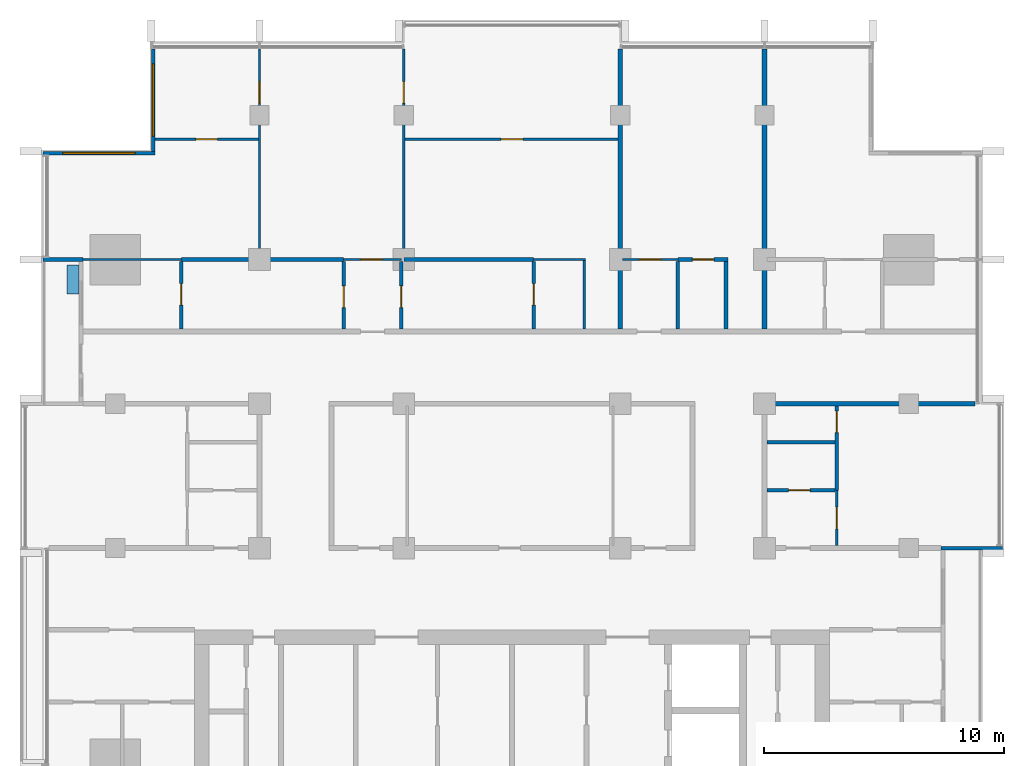
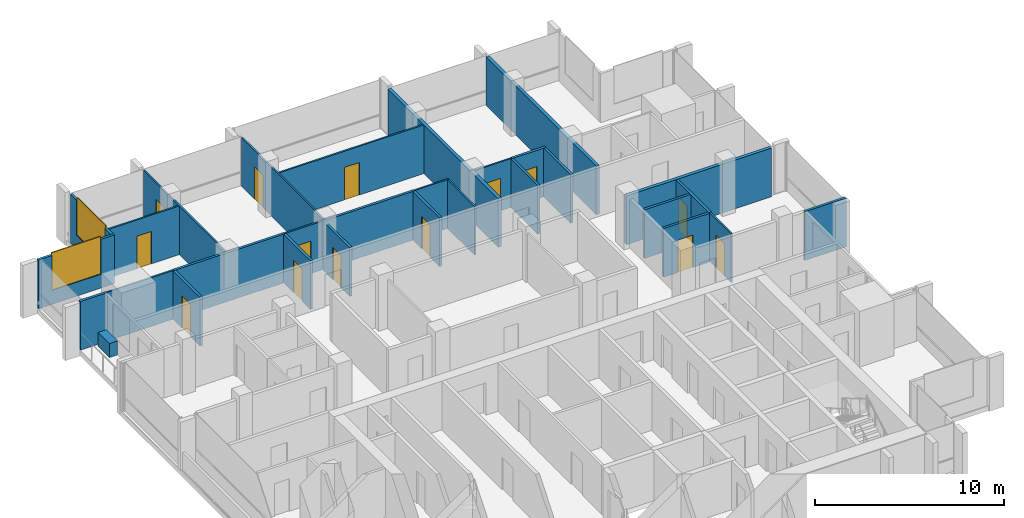
# One storey, part 10 of 16: 30 walls, 14 doors, 2 windows, 16 openings.
"""IFC4 building model written with IfcOpenShell, lengths in metres."""

from ifc_helpers import new_model, si_unit, direction, frame, frame_2d, origin, place, context, subcontext, project, spatial, rectangle, extrude, material, layer, layer_set, type_object, element, fill, save


model = new_model("IFC4")

# Units and contexts
model_context = context("Model", 3, precision=1e-05, world=origin(), true_north=direction((0.0, 1.0)))
body_context = subcontext(model_context, "Body", "Model", "MODEL_VIEW")
ifc_project = project(units=[si_unit("LENGTHUNIT", "METRE"), si_unit("AREAUNIT", "SQUARE_METRE"), si_unit("VOLUMEUNIT", "CUBIC_METRE"), si_unit("PLANEANGLEUNIT", "RADIAN"), si_unit("MASSUNIT", "GRAM", prefix="KILO")], contexts=[model_context])

# Site, building, storey
site_placement = place(None, origin())
site = spatial("IfcSite", under=ifc_project, at=site_placement, CompositionType="ELEMENT")
building_placement = place(site_placement, origin())
building = spatial("IfcBuilding", under=site, at=building_placement, Name="Finial Court Residences", CompositionType="ELEMENT")
storey_placement = place(building_placement, frame((0.0, 0.0, 244.699951171875)))
storey = spatial("IfcBuildingStorey", under=building, at=storey_placement, Name="L62", CompositionType="ELEMENT", Elevation=244.699951171875)

# Walls
ifc_material_1 = material(Name="Gypsum board")
ifc_layer_1 = layer(ifc_material_1, 0.02490234375)
ifc_material_2 = material(Name="Acoustic mineral wool in double frame")
ifc_layer_2 = layer(ifc_material_2, 0.14990234375)
ifc_layer_3 = layer(ifc_material_1, 0.02490234375)
ifc_layer_set_1 = layer_set([ifc_layer_1, ifc_layer_2, ifc_layer_3], Name="Acoustic party wall 200, 1 hour")
wall_type_1 = type_object("IfcWallType", Name="Acoustic party wall 200, 1 hour", PredefinedType="PARTITIONING", material=ifc_layer_set_1)
for number, where, z_axis, x_axis, name in (
    (1, (4.5, 4.60009765625, 0.0), (0.0, 0.0, 1.0), (0.0, 1.0, 0.0), "Partition L62-043"),
    (2, (10.5, 4.60009765625, 0.0), (0.0, 0.0, 1.0), (0.0, 1.0, 0.0), "Partition L62-048"),
):
    element("IfcWall", number, at=place(storey_placement, frame(where, z_axis=z_axis, x_axis=x_axis)), inside=storey, type_object=wall_type_1, Name=name, PredefinedType="PARTITIONING", context=body_context, shape_type="SweptSolid", body=[
        extrude(rectangle(XDim=11.662353515625, YDim=0.199951171875, at=frame_2d((5.8310546875, 0.0))), origin(), (0.0, 0.0, 1.0), 3.150146484375),
    ])
ifc_layer_4 = layer(ifc_material_1, 0.02490234375)
ifc_layer_5 = layer(ifc_material_2, 0.14990234375)
ifc_layer_6 = layer(ifc_material_1, 0.02490234375)
ifc_layer_set_2 = layer_set([ifc_layer_4, ifc_layer_5, ifc_layer_6], Name="Corridor wall 200, 1 hour")
wall_type_2 = type_object("IfcWallType", Name="Corridor wall 200, 1 hour", PredefinedType="PARTITIONING", material=ifc_layer_set_2)
wall_1_placement = place(storey_placement, frame((10.39990234375, 1.5, 0.0), z_axis=(0.0, 0.0, 1.0), x_axis=(1.0, 0.0, 0.0)))
element("IfcWall", 3, at=wall_1_placement, inside=storey, type_object=wall_type_2, Name="Partition L62-015", PredefinedType="PARTITIONING", context=body_context, shape_type="SweptSolid", body=[
    extrude(rectangle(XDim=8.862548828125, YDim=0.199951171875, at=frame_2d((4.43115234375, 0.0))), origin(), (0.0, 0.0, 1.0), 3.150146484375),
])
ifc_layer_7 = layer(ifc_material_1, 0.012451171875)
ifc_material_3 = material(Name="Mineral wool in light-gauge frame")
ifc_layer_8 = layer(ifc_material_3, 0.074951171875)
ifc_layer_9 = layer(ifc_material_1, 0.012451171875)
ifc_layer_set_3 = layer_set([ifc_layer_7, ifc_layer_8, ifc_layer_9], Name="Gypsum board partition 100")
wall_type_3 = type_object("IfcWallType", Name="Gypsum board partition 100", PredefinedType="PARTITIONING", material=ifc_layer_set_3)
wall_2_placement = place(storey_placement, frame((-17.85009765625, 7.5, 0.0), z_axis=(0.0, 0.0, 1.0), x_axis=(1.0, 0.0, 0.0)))
element("IfcWall", 4, at=wall_2_placement, inside=storey, type_object=wall_type_3, Name="Partition L62-017", PredefinedType="PARTITIONING", context=body_context, shape_type="SweptSolid", body=[
    extrude(rectangle(XDim=4.10009765625, YDim=0.10009765625, at=frame_2d((2.050048828125, 0.0))), origin(), (0.0, 0.0, 1.0), 3.150146484375),
])

# Wall, opening, door
wall_3_placement = place(storey_placement, frame((-7.0, 7.5, 0.0), z_axis=(0.0, 0.0, 1.0), x_axis=(1.0, 0.0, 0.0)))
wall_3 = element("IfcWall", 5, at=wall_3_placement, inside=storey, type_object=wall_type_3, Name="Partition L62-018", PredefinedType="PARTITIONING", context=body_context, shape_type="SweptSolid", body=[
    extrude(rectangle(XDim=2.39990234375, YDim=0.10009765625, at=frame_2d((1.199951171875, 0.0))), origin(), (0.0, 0.0, 1.0), 3.150146484375),
])
opening_1_placement = place(wall_3_placement, frame((0.699951171875, 0.0, 0.0)))
opening_1 = element("IfcOpeningElement", 6, at=opening_1_placement, cuts=wall_3, Name="Opening L62-D019", PredefinedType="OPENING", context=body_context, shape_type="SweptSolid", body=[
    extrude(rectangle(XDim=0.89990234375, YDim=2.10009765625, at=frame_2d((0.449951171875, 1.050048828125))), frame((0.0, 0.06005859375, 0.0), z_axis=(0.0, -1.0, 0.0), x_axis=(1.0, 0.0, 0.0)), (0.0, 0.0, 1.0), 0.1201171875),
])
ifc_material_4 = material(Name="Timber door leaf in timber frame", Category="wood")
door_type = type_object("IfcDoorType", Name="Door set 900 x 2100", OperationType="SINGLE_SWING_LEFT", PredefinedType="DOOR", material=ifc_material_4)
door_1_placement = place(opening_1_placement, origin())
door_1 = element("IfcDoor", 7, at=door_1_placement, inside=storey, type_object=door_type, Name="Door L62-D019", OperationType="SINGLE_SWING_LEFT", OverallHeight=2.10009765625, OverallWidth=0.89990234375, PredefinedType="DOOR", context=body_context, shape_type="SweptSolid", body=[
    extrude(rectangle(XDim=0.89990234375, YDim=2.10009765625, at=frame_2d((0.449951171875, 1.050048828125))), frame((0.0, 0.02490234375, 0.0), z_axis=(0.0, -1.0, 0.0), x_axis=(1.0, 0.0, 0.0)), (0.0, 0.0, 1.0), 0.050048828125),
])
fill(opening_1, door_1)

# Wall
wall_4_placement = place(storey_placement, frame((0.89990234375, 7.5, 0.0), z_axis=(0.0, 0.0, 1.0), x_axis=(1.0, 0.0, 0.0)))
element("IfcWall", 8, at=wall_4_placement, inside=storey, type_object=wall_type_3, Name="Partition L62-019", PredefinedType="PARTITIONING", context=body_context, shape_type="SweptSolid", body=[
    extrude(rectangle(XDim=2.150146484375, YDim=0.10009765625, at=frame_2d((1.0751953125, 0.0))), origin(), (0.0, 0.0, 1.0), 3.150146484375),
])

# Wall, opening, door
wall_5_placement = place(storey_placement, frame((4.60009765625, 7.5, 0.0), z_axis=(0.0, 0.0, 1.0), x_axis=(1.0, 0.0, 0.0)))
wall_5 = element("IfcWall", 9, at=wall_5_placement, inside=storey, type_object=wall_type_3, Name="Partition L62-020", PredefinedType="PARTITIONING", context=body_context, shape_type="SweptSolid", body=[
    extrude(rectangle(XDim=2.2998046875, YDim=0.10009765625, at=frame_2d((1.14990234375, 0.0))), origin(), (0.0, 0.0, 1.0), 3.150146484375),
])
opening_2_placement = place(wall_5_placement, frame((0.699951171875, 0.0, 0.0)))
opening_2 = element("IfcOpeningElement", 10, at=opening_2_placement, cuts=wall_5, Name="Opening L62-D020", PredefinedType="OPENING", context=body_context, shape_type="SweptSolid", body=[
    extrude(rectangle(XDim=0.89990234375, YDim=2.10009765625, at=frame_2d((0.449951171875, 1.050048828125))), frame((0.0, 0.06005859375, 0.0), z_axis=(0.0, -1.0, 0.0), x_axis=(1.0, 0.0, 0.0)), (0.0, 0.0, 1.0), 0.1201171875),
])
door_2_placement = place(opening_2_placement, origin())
door_2 = element("IfcDoor", 11, at=door_2_placement, inside=storey, type_object=door_type, Name="Door L62-D020", OperationType="SINGLE_SWING_LEFT", OverallHeight=2.10009765625, OverallWidth=0.89990234375, PredefinedType="DOOR", context=body_context, shape_type="SweptSolid", body=[
    extrude(rectangle(XDim=0.89990234375, YDim=2.10009765625, at=frame_2d((0.449951171875, 1.050048828125))), frame((0.0, 0.02490234375, 0.0), z_axis=(0.0, -1.0, 0.0), x_axis=(1.0, 0.0, 0.0)), (0.0, 0.0, 1.0), 0.050048828125),
])
fill(opening_2, door_2)

wall_6_placement = place(storey_placement, frame((-14.85009765625, 12.5, 0.0), z_axis=(0.0, 0.0, 1.0), x_axis=(1.0, 0.0, 0.0)))
wall_6 = element("IfcWall", 12, at=wall_6_placement, inside=storey, type_object=wall_type_3, Name="Partition L62-027", PredefinedType="PARTITIONING", context=body_context, shape_type="SweptSolid", body=[
    extrude(rectangle(XDim=4.300048828125, YDim=0.10009765625, at=frame_2d((2.14990234375, 0.0))), origin(), (0.0, 0.0, 1.0), 3.150146484375),
])
opening_3_placement = place(wall_6_placement, frame((1.699951171875, 0.0, 0.0)))
opening_3 = element("IfcOpeningElement", 13, at=opening_3_placement, cuts=wall_6, Name="Opening L62-D024", PredefinedType="OPENING", context=body_context, shape_type="SweptSolid", body=[
    extrude(rectangle(XDim=0.89990234375, YDim=2.10009765625, at=frame_2d((0.449951171875, 1.050048828125))), frame((0.0, 0.06005859375, 0.0), z_axis=(0.0, -1.0, 0.0), x_axis=(1.0, 0.0, 0.0)), (0.0, 0.0, 1.0), 0.1201171875),
])
door_3_placement = place(opening_3_placement, origin())
door_3 = element("IfcDoor", 14, at=door_3_placement, inside=storey, type_object=door_type, Name="Door L62-D024", OperationType="SINGLE_SWING_LEFT", OverallHeight=2.10009765625, OverallWidth=0.89990234375, PredefinedType="DOOR", context=body_context, shape_type="SweptSolid", body=[
    extrude(rectangle(XDim=0.89990234375, YDim=2.10009765625, at=frame_2d((0.449951171875, 1.050048828125))), frame((0.0, 0.02490234375, 0.0), z_axis=(0.0, -1.0, 0.0), x_axis=(1.0, 0.0, 0.0)), (0.0, 0.0, 1.0), 0.050048828125),
])
fill(opening_3, door_3)

wall_7_placement = place(storey_placement, frame((-4.449951171875, 12.5, 0.0), z_axis=(0.0, 0.0, 1.0), x_axis=(1.0, 0.0, 0.0)))
wall_7 = element("IfcWall", 15, at=wall_7_placement, inside=storey, type_object=wall_type_3, Name="Partition L62-028", PredefinedType="PARTITIONING", context=body_context, shape_type="SweptSolid", body=[
    extrude(rectangle(XDim=8.849853515625, YDim=0.10009765625, at=frame_2d((4.4248046875, 0.0))), origin(), (0.0, 0.0, 1.0), 3.150146484375),
])
opening_4_placement = place(wall_7_placement, frame((4.0, 0.0, 0.0)))
opening_4 = element("IfcOpeningElement", 16, at=opening_4_placement, cuts=wall_7, Name="Opening L62-D025", PredefinedType="OPENING", context=body_context, shape_type="SweptSolid", body=[
    extrude(rectangle(XDim=0.89990234375, YDim=2.10009765625, at=frame_2d((0.449951171875, 1.050048828125))), frame((0.0, 0.06005859375, 0.0), z_axis=(0.0, -1.0, 0.0), x_axis=(1.0, 0.0, 0.0)), (0.0, 0.0, 1.0), 0.1201171875),
])
door_4_placement = place(opening_4_placement, origin())
door_4 = element("IfcDoor", 17, at=door_4_placement, inside=storey, type_object=door_type, Name="Door L62-D025", OperationType="SINGLE_SWING_LEFT", OverallHeight=2.10009765625, OverallWidth=0.89990234375, PredefinedType="DOOR", context=body_context, shape_type="SweptSolid", body=[
    extrude(rectangle(XDim=0.89990234375, YDim=2.10009765625, at=frame_2d((0.449951171875, 1.050048828125))), frame((0.0, 0.02490234375, 0.0), z_axis=(0.0, -1.0, 0.0), x_axis=(1.0, 0.0, 0.0)), (0.0, 0.0, 1.0), 0.050048828125),
])
fill(opening_4, door_4)

wall_8_placement = place(storey_placement, frame((-10.5, 7.574951171875, 0.0), z_axis=(0.0, 0.0, 1.0), x_axis=(0.0, 1.0, 0.0)))
wall_8 = element("IfcWall", 18, at=wall_8_placement, inside=storey, type_object=wall_type_3, Name="Partition L62-034", PredefinedType="PARTITIONING", context=body_context, shape_type="SweptSolid", body=[
    extrude(rectangle(XDim=8.6875, YDim=0.10009765625, at=frame_2d((4.34375, 0.0))), origin(), (0.0, 0.0, 1.0), 3.150146484375),
])
opening_5_placement = place(wall_8_placement, frame((6.425048828125, 0.0, 0.0)))
opening_5 = element("IfcOpeningElement", 19, at=opening_5_placement, cuts=wall_8, Name="Opening L62-D029", PredefinedType="OPENING", context=body_context, shape_type="SweptSolid", body=[
    extrude(rectangle(XDim=0.89990234375, YDim=2.10009765625, at=frame_2d((0.449951171875, 1.050048828125))), frame((0.0, 0.06005859375, 0.0), z_axis=(0.0, -1.0, 0.0), x_axis=(1.0, 0.0, 0.0)), (0.0, 0.0, 1.0), 0.1201171875),
])
door_5_placement = place(opening_5_placement, origin())
door_5 = element("IfcDoor", 20, at=door_5_placement, inside=storey, type_object=door_type, Name="Door L62-D029", OperationType="SINGLE_SWING_LEFT", OverallHeight=2.10009765625, OverallWidth=0.89990234375, PredefinedType="DOOR", context=body_context, shape_type="SweptSolid", body=[
    extrude(rectangle(XDim=0.89990234375, YDim=2.10009765625, at=frame_2d((0.449951171875, 1.050048828125))), frame((0.0, 0.02490234375, 0.0), z_axis=(0.0, -1.0, 0.0), x_axis=(1.0, 0.0, 0.0)), (0.0, 0.0, 1.0), 0.050048828125),
])
fill(opening_5, door_5)

wall_9_placement = place(storey_placement, frame((-4.5, 7.574951171875, 0.0), z_axis=(0.0, 0.0, 1.0), x_axis=(0.0, 1.0, 0.0)))
wall_9 = element("IfcWall", 21, at=wall_9_placement, inside=storey, type_object=wall_type_3, Name="Partition L62-038", PredefinedType="PARTITIONING", context=body_context, shape_type="SweptSolid", body=[
    extrude(rectangle(XDim=8.6875, YDim=0.10009765625, at=frame_2d((4.34375, 0.0))), origin(), (0.0, 0.0, 1.0), 3.150146484375),
])
opening_6_placement = place(wall_9_placement, frame((6.425048828125, 0.0, 0.0)))
opening_6 = element("IfcOpeningElement", 22, at=opening_6_placement, cuts=wall_9, Name="Opening L62-D032", PredefinedType="OPENING", context=body_context, shape_type="SweptSolid", body=[
    extrude(rectangle(XDim=0.89990234375, YDim=2.10009765625, at=frame_2d((0.449951171875, 1.050048828125))), frame((0.0, 0.06005859375, 0.0), z_axis=(0.0, -1.0, 0.0), x_axis=(1.0, 0.0, 0.0)), (0.0, 0.0, 1.0), 0.1201171875),
])
door_6_placement = place(opening_6_placement, origin())
door_6 = element("IfcDoor", 23, at=door_6_placement, inside=storey, type_object=door_type, Name="Door L62-D032", OperationType="SINGLE_SWING_RIGHT", OverallHeight=2.10009765625, OverallWidth=0.89990234375, PredefinedType="DOOR", context=body_context, shape_type="SweptSolid", body=[
    extrude(rectangle(XDim=0.89990234375, YDim=2.10009765625, at=frame_2d((0.449951171875, 1.050048828125))), frame((0.0, 0.02490234375, 0.0), z_axis=(0.0, -1.0, 0.0), x_axis=(1.0, 0.0, 0.0)), (0.0, 0.0, 1.0), 0.050048828125),
])
fill(opening_6, door_6)

# Wall
wall_10_placement = place(storey_placement, frame((3.0, 4.60009765625, 0.0), z_axis=(0.0, 0.0, 1.0), x_axis=(0.0, 1.0, 0.0)))
element("IfcWall", 24, at=wall_10_placement, inside=storey, type_object=wall_type_3, Name="Partition L62-041", PredefinedType="PARTITIONING", context=body_context, shape_type="SweptSolid", body=[
    extrude(rectangle(XDim=2.849853515625, YDim=0.10009765625, at=frame_2d((1.4248046875, 0.0))), origin(), (0.0, 0.0, 1.0), 3.150146484375),
])

# Wall, opening, door
wall_11_placement = place(storey_placement, frame((13.5, -4.39990234375, 0.0), z_axis=(0.0, 0.0, 1.0), x_axis=(0.0, 1.0, 0.0)))
wall_11 = element("IfcWall", 25, at=wall_11_placement, inside=storey, type_object=wall_type_3, Name="Partition L62-050", PredefinedType="PARTITIONING", context=body_context, shape_type="SweptSolid", body=[
    extrude(rectangle(XDim=2.2998046875, YDim=0.10009765625, at=frame_2d((1.14990234375, 0.0))), origin(), (0.0, 0.0, 1.0), 3.150146484375),
])
opening_7_placement = place(wall_11_placement, frame((0.699951171875, 0.0, 0.0)))
opening_7 = element("IfcOpeningElement", 26, at=opening_7_placement, cuts=wall_11, Name="Opening L62-D035", PredefinedType="OPENING", context=body_context, shape_type="SweptSolid", body=[
    extrude(rectangle(XDim=0.89990234375, YDim=2.10009765625, at=frame_2d((0.449951171875, 1.050048828125))), frame((0.0, 0.06005859375, 0.0), z_axis=(0.0, -1.0, 0.0), x_axis=(1.0, 0.0, 0.0)), (0.0, 0.0, 1.0), 0.1201171875),
])
door_7_placement = place(opening_7_placement, origin())
door_7 = element("IfcDoor", 27, at=door_7_placement, inside=storey, type_object=door_type, Name="Door L62-D035", OperationType="SINGLE_SWING_RIGHT", OverallHeight=2.10009765625, OverallWidth=0.89990234375, PredefinedType="DOOR", context=body_context, shape_type="SweptSolid", body=[
    extrude(rectangle(XDim=0.89990234375, YDim=2.10009765625, at=frame_2d((0.449951171875, 1.050048828125))), frame((0.0, 0.02490234375, 0.0), z_axis=(0.0, -1.0, 0.0), x_axis=(1.0, 0.0, 0.0)), (0.0, 0.0, 1.0), 0.050048828125),
])
fill(opening_7, door_7)

ifc_material_5 = material(Name="Moisture-resistant gypsum board")
ifc_layer_10 = layer(ifc_material_5, 0.012451171875)
ifc_layer_11 = layer(ifc_material_3, 0.125)
ifc_layer_12 = layer(ifc_material_5, 0.012451171875)
ifc_layer_set_4 = layer_set([ifc_layer_10, ifc_layer_11, ifc_layer_12], Name="Gypsum board wet-area partition 150")
wall_type_4 = type_object("IfcWallType", Name="Gypsum board wet-area partition 150", PredefinedType="PARTITIONING", material=ifc_layer_set_4)
wall_12_placement = place(storey_placement, frame((10.60009765625, -2.10009765625, 0.0), z_axis=(0.0, 0.0, 1.0), x_axis=(1.0, 0.0, 0.0)))
wall_12 = element("IfcWall", 28, at=wall_12_placement, inside=storey, type_object=wall_type_4, Name="Partition L62-010", PredefinedType="PARTITIONING", context=body_context, shape_type="SweptSolid", body=[
    extrude(rectangle(XDim=2.824951171875, YDim=0.14990234375, at=frame_2d((1.41259765625, 0.0))), origin(), (0.0, 0.0, 1.0), 3.150146484375),
])
opening_8_placement = place(wall_12_placement, frame((0.89990234375, 0.0, 0.0)))
opening_8 = element("IfcOpeningElement", 29, at=opening_8_placement, cuts=wall_12, Name="Opening L62-D015", PredefinedType="OPENING", context=body_context, shape_type="SweptSolid", body=[
    extrude(rectangle(XDim=0.89990234375, YDim=2.10009765625, at=frame_2d((0.449951171875, 1.050048828125))), frame((0.0, 0.0849609375, 0.0), z_axis=(0.0, -1.0, 0.0), x_axis=(1.0, 0.0, 0.0)), (0.0, 0.0, 1.0), 0.169921875),
])
door_8_placement = place(opening_8_placement, origin())
door_8 = element("IfcDoor", 30, at=door_8_placement, inside=storey, type_object=door_type, Name="Door L62-D015", OperationType="SINGLE_SWING_RIGHT", OverallHeight=2.10009765625, OverallWidth=0.89990234375, PredefinedType="DOOR", context=body_context, shape_type="SweptSolid", body=[
    extrude(rectangle(XDim=0.89990234375, YDim=2.10009765625, at=frame_2d((0.449951171875, 1.050048828125))), frame((0.0, 0.02490234375, 0.0), z_axis=(0.0, -1.0, 0.0), x_axis=(1.0, 0.0, 0.0)), (0.0, 0.0, 1.0), 0.050048828125),
])
fill(opening_8, door_8)

# Walls
wall_13_placement = place(storey_placement, frame((10.60009765625, -0.10009765625, 0.0), z_axis=(0.0, 0.0, 1.0), x_axis=(1.0, 0.0, 0.0)))
element("IfcWall", 31, at=wall_13_placement, inside=storey, type_object=wall_type_4, Name="Partition L62-012", PredefinedType="PARTITIONING", context=body_context, shape_type="SweptSolid", body=[
    extrude(rectangle(XDim=2.824951171875, YDim=0.14990234375, at=frame_2d((1.41259765625, 0.0))), origin(), (0.0, 0.0, 1.0), 3.150146484375),
])
wall_14_placement = place(storey_placement, frame((-13.75, 7.5, 0.0), z_axis=(0.0, 0.0, 1.0), x_axis=(1.0, 0.0, 0.0)))
element("IfcWall", 32, at=wall_14_placement, inside=storey, type_object=wall_type_4, Name="Partition L62-022", PredefinedType="PARTITIONING", context=body_context, shape_type="SweptSolid", body=[
    extrude(rectangle(XDim=6.75, YDim=0.14990234375, at=frame_2d((3.375, 0.0))), origin(), (0.0, 0.0, 1.0), 3.150146484375),
])
wall_15_placement = place(storey_placement, frame((-4.5, 7.5, 0.0), z_axis=(0.0, 0.0, 1.0), x_axis=(1.0, 0.0, 0.0)))
element("IfcWall", 33, at=wall_15_placement, inside=storey, type_object=wall_type_4, Name="Partition L62-023", PredefinedType="PARTITIONING", context=body_context, shape_type="SweptSolid", body=[
    extrude(rectangle(XDim=5.39990234375, YDim=0.14990234375, at=frame_2d((2.699951171875, 0.0))), origin(), (0.0, 0.0, 1.0), 3.150146484375),
])

# Wall, opening, door
wall_16_placement = place(storey_placement, frame((6.89990234375, 7.5, 0.0), z_axis=(0.0, 0.0, 1.0), x_axis=(1.0, 0.0, 0.0)))
wall_16 = element("IfcWall", 34, at=wall_16_placement, inside=storey, type_object=wall_type_4, Name="Partition L62-024", PredefinedType="PARTITIONING", context=body_context, shape_type="SweptSolid", body=[
    extrude(rectangle(XDim=2.0751953125, YDim=0.14990234375, at=frame_2d((1.03759765625, 0.0))), origin(), (0.0, 0.0, 1.0), 3.150146484375),
])
opening_9_placement = place(wall_16_placement, frame((0.60009765625, 0.0, 0.0)))
opening_9 = element("IfcOpeningElement", 35, at=opening_9_placement, cuts=wall_16, Name="Opening L62-D022", PredefinedType="OPENING", context=body_context, shape_type="SweptSolid", body=[
    extrude(rectangle(XDim=0.89990234375, YDim=2.10009765625, at=frame_2d((0.449951171875, 1.050048828125))), frame((0.0, 0.0849609375, 0.0), z_axis=(0.0, -1.0, 0.0), x_axis=(1.0, 0.0, 0.0)), (0.0, 0.0, 1.0), 0.169921875),
])
door_9_placement = place(opening_9_placement, origin())
door_9 = element("IfcDoor", 36, at=door_9_placement, inside=storey, type_object=door_type, Name="Door L62-D022", OperationType="SINGLE_SWING_RIGHT", OverallHeight=2.10009765625, OverallWidth=0.89990234375, PredefinedType="DOOR", context=body_context, shape_type="SweptSolid", body=[
    extrude(rectangle(XDim=0.89990234375, YDim=2.10009765625, at=frame_2d((0.449951171875, 1.050048828125))), frame((0.0, 0.02490234375, 0.0), z_axis=(0.0, -1.0, 0.0), x_axis=(1.0, 0.0, 0.0)), (0.0, 0.0, 1.0), 0.050048828125),
])
fill(opening_9, door_9)

wall_17_placement = place(storey_placement, frame((-13.75, 4.60009765625, 0.0), z_axis=(0.0, 0.0, 1.0), x_axis=(0.0, 1.0, 0.0)))
wall_17 = element("IfcWall", 37, at=wall_17_placement, inside=storey, type_object=wall_type_4, Name="Partition L62-030", PredefinedType="PARTITIONING", context=body_context, shape_type="SweptSolid", body=[
    extrude(rectangle(XDim=2.824951171875, YDim=0.14990234375, at=frame_2d((1.41259765625, 0.0))), origin(), (0.0, 0.0, 1.0), 3.150146484375),
])
opening_10_placement = place(wall_17_placement, frame((1.0, 0.0, 0.0)))
opening_10 = element("IfcOpeningElement", 38, at=opening_10_placement, cuts=wall_17, Name="Opening L62-D026", PredefinedType="OPENING", context=body_context, shape_type="SweptSolid", body=[
    extrude(rectangle(XDim=0.89990234375, YDim=2.10009765625, at=frame_2d((0.449951171875, 1.050048828125))), frame((0.0, 0.0849609375, 0.0), z_axis=(0.0, -1.0, 0.0), x_axis=(1.0, 0.0, 0.0)), (0.0, 0.0, 1.0), 0.169921875),
])
door_10_placement = place(opening_10_placement, origin())
door_10 = element("IfcDoor", 39, at=door_10_placement, inside=storey, type_object=door_type, Name="Door L62-D026", OperationType="SINGLE_SWING_RIGHT", OverallHeight=2.10009765625, OverallWidth=0.89990234375, PredefinedType="DOOR", context=body_context, shape_type="SweptSolid", body=[
    extrude(rectangle(XDim=0.89990234375, YDim=2.10009765625, at=frame_2d((0.449951171875, 1.050048828125))), frame((0.0, 0.02490234375, 0.0), z_axis=(0.0, -1.0, 0.0), x_axis=(1.0, 0.0, 0.0)), (0.0, 0.0, 1.0), 0.050048828125),
])
fill(opening_10, door_10)

wall_18_placement = place(storey_placement, frame((-7.0, 4.60009765625, 0.0), z_axis=(0.0, 0.0, 1.0), x_axis=(0.0, 1.0, 0.0)))
wall_18 = element("IfcWall", 40, at=wall_18_placement, inside=storey, type_object=wall_type_4, Name="Partition L62-036", PredefinedType="PARTITIONING", context=body_context, shape_type="SweptSolid", body=[
    extrude(rectangle(XDim=2.824951171875, YDim=0.14990234375, at=frame_2d((1.41259765625, 0.0))), origin(), (0.0, 0.0, 1.0), 3.150146484375),
])
opening_11_placement = place(wall_18_placement, frame((0.89990234375, 0.0, 0.0)))
opening_11 = element("IfcOpeningElement", 41, at=opening_11_placement, cuts=wall_18, Name="Opening L62-D030", PredefinedType="OPENING", context=body_context, shape_type="SweptSolid", body=[
    extrude(rectangle(XDim=0.89990234375, YDim=2.10009765625, at=frame_2d((0.449951171875, 1.050048828125))), frame((0.0, 0.0849609375, 0.0), z_axis=(0.0, -1.0, 0.0), x_axis=(1.0, 0.0, 0.0)), (0.0, 0.0, 1.0), 0.169921875),
])
door_11_placement = place(opening_11_placement, origin())
door_11 = element("IfcDoor", 42, at=door_11_placement, inside=storey, type_object=door_type, Name="Door L62-D030", OperationType="SINGLE_SWING_RIGHT", OverallHeight=2.10009765625, OverallWidth=0.89990234375, PredefinedType="DOOR", context=body_context, shape_type="SweptSolid", body=[
    extrude(rectangle(XDim=0.89990234375, YDim=2.10009765625, at=frame_2d((0.449951171875, 1.050048828125))), frame((0.0, 0.02490234375, 0.0), z_axis=(0.0, -1.0, 0.0), x_axis=(1.0, 0.0, 0.0)), (0.0, 0.0, 1.0), 0.050048828125),
])
fill(opening_11, door_11)

wall_19_placement = place(storey_placement, frame((-4.60009765625, 4.60009765625, 0.0), z_axis=(0.0, 0.0, 1.0), x_axis=(0.0, 1.0, 0.0)))
wall_19 = element("IfcWall", 43, at=wall_19_placement, inside=storey, type_object=wall_type_4, Name="Partition L62-037", PredefinedType="PARTITIONING", context=body_context, shape_type="SweptSolid", body=[
    extrude(rectangle(XDim=2.824951171875, YDim=0.14990234375, at=frame_2d((1.41259765625, 0.0))), origin(), (0.0, 0.0, 1.0), 3.150146484375),
])
opening_12_placement = place(wall_19_placement, frame((0.89990234375, 0.0, 0.0)))
opening_12 = element("IfcOpeningElement", 44, at=opening_12_placement, cuts=wall_19, Name="Opening L62-D031", PredefinedType="OPENING", context=body_context, shape_type="SweptSolid", body=[
    extrude(rectangle(XDim=0.89990234375, YDim=2.10009765625, at=frame_2d((0.449951171875, 1.050048828125))), frame((0.0, 0.0849609375, 0.0), z_axis=(0.0, -1.0, 0.0), x_axis=(1.0, 0.0, 0.0)), (0.0, 0.0, 1.0), 0.169921875),
])
door_12_placement = place(opening_12_placement, origin())
door_12 = element("IfcDoor", 45, at=door_12_placement, inside=storey, type_object=door_type, Name="Door L62-D031", OperationType="SINGLE_SWING_LEFT", OverallHeight=2.10009765625, OverallWidth=0.89990234375, PredefinedType="DOOR", context=body_context, shape_type="SweptSolid", body=[
    extrude(rectangle(XDim=0.89990234375, YDim=2.10009765625, at=frame_2d((0.449951171875, 1.050048828125))), frame((0.0, 0.02490234375, 0.0), z_axis=(0.0, -1.0, 0.0), x_axis=(1.0, 0.0, 0.0)), (0.0, 0.0, 1.0), 0.050048828125),
])
fill(opening_12, door_12)

wall_20_placement = place(storey_placement, frame((0.89990234375, 4.60009765625, 0.0), z_axis=(0.0, 0.0, 1.0), x_axis=(0.0, 1.0, 0.0)))
wall_20 = element("IfcWall", 46, at=wall_20_placement, inside=storey, type_object=wall_type_4, Name="Partition L62-040", PredefinedType="PARTITIONING", context=body_context, shape_type="SweptSolid", body=[
    extrude(rectangle(XDim=2.824951171875, YDim=0.14990234375, at=frame_2d((1.41259765625, 0.0))), origin(), (0.0, 0.0, 1.0), 3.150146484375),
])
opening_13_placement = place(wall_20_placement, frame((1.0, 0.0, 0.0)))
opening_13 = element("IfcOpeningElement", 47, at=opening_13_placement, cuts=wall_20, Name="Opening L62-D033", PredefinedType="OPENING", context=body_context, shape_type="SweptSolid", body=[
    extrude(rectangle(XDim=0.89990234375, YDim=2.10009765625, at=frame_2d((0.449951171875, 1.050048828125))), frame((0.0, 0.0849609375, 0.0), z_axis=(0.0, -1.0, 0.0), x_axis=(1.0, 0.0, 0.0)), (0.0, 0.0, 1.0), 0.169921875),
])
door_13_placement = place(opening_13_placement, origin())
door_13 = element("IfcDoor", 48, at=door_13_placement, inside=storey, type_object=door_type, Name="Door L62-D033", OperationType="SINGLE_SWING_RIGHT", OverallHeight=2.10009765625, OverallWidth=0.89990234375, PredefinedType="DOOR", context=body_context, shape_type="SweptSolid", body=[
    extrude(rectangle(XDim=0.89990234375, YDim=2.10009765625, at=frame_2d((0.449951171875, 1.050048828125))), frame((0.0, 0.02490234375, 0.0), z_axis=(0.0, -1.0, 0.0), x_axis=(1.0, 0.0, 0.0)), (0.0, 0.0, 1.0), 0.050048828125),
])
fill(opening_13, door_13)

# Walls
for number, where, z_axis, x_axis, name in (
    (49, (6.89990234375, 4.60009765625, 0.0), (0.0, 0.0, 1.0), (0.0, 1.0, 0.0), "Partition L62-044"),
    (50, (8.89990234375, 4.60009765625, 0.0), (0.0, 0.0, 1.0), (0.0, 1.0, 0.0), "Partition L62-046"),
):
    element("IfcWall", number, at=place(storey_placement, frame(where, z_axis=z_axis, x_axis=x_axis)), inside=storey, type_object=wall_type_4, Name=name, PredefinedType="PARTITIONING", context=body_context, shape_type="SweptSolid", body=[
        extrude(rectangle(XDim=2.824951171875, YDim=0.14990234375, at=frame_2d((1.41259765625, 0.0))), origin(), (0.0, 0.0, 1.0), 3.150146484375),
    ])

# Wall, opening, door
wall_21_placement = place(storey_placement, frame((13.5, -2.10009765625, 0.0), z_axis=(0.0, 0.0, 1.0), x_axis=(0.0, 1.0, 0.0)))
wall_21 = element("IfcWall", 51, at=wall_21_placement, inside=storey, type_object=wall_type_4, Name="Partition L62-051", PredefinedType="PARTITIONING", context=body_context, shape_type="SweptSolid", body=[
    extrude(rectangle(XDim=3.5, YDim=0.14990234375, at=frame_2d((1.75, 0.0))), origin(), (0.0, 0.0, 1.0), 3.150146484375),
])
opening_14_placement = place(wall_21_placement, frame((2.39990234375, 0.0, 0.0)))
opening_14 = element("IfcOpeningElement", 52, at=opening_14_placement, cuts=wall_21, Name="Opening L62-D036", PredefinedType="OPENING", context=body_context, shape_type="SweptSolid", body=[
    extrude(rectangle(XDim=0.89990234375, YDim=2.10009765625, at=frame_2d((0.449951171875, 1.050048828125))), frame((0.0, 0.0849609375, 0.0), z_axis=(0.0, -1.0, 0.0), x_axis=(1.0, 0.0, 0.0)), (0.0, 0.0, 1.0), 0.169921875),
])
door_14_placement = place(opening_14_placement, origin())
door_14 = element("IfcDoor", 53, at=door_14_placement, inside=storey, type_object=door_type, Name="Door L62-D036", OperationType="SINGLE_SWING_LEFT", OverallHeight=2.10009765625, OverallWidth=0.89990234375, PredefinedType="DOOR", context=body_context, shape_type="SweptSolid", body=[
    extrude(rectangle(XDim=0.89990234375, YDim=2.10009765625, at=frame_2d((0.449951171875, 1.050048828125))), frame((0.0, 0.02490234375, 0.0), z_axis=(0.0, -1.0, 0.0), x_axis=(1.0, 0.0, 0.0)), (0.0, 0.0, 1.0), 0.050048828125),
])
fill(opening_14, door_14)

# Wall, opening, window
ifc_material_6 = material(Name="Natural limestone", Category="masonry")
ifc_layer_13 = layer(ifc_material_6, 0.14990234375)
ifc_layer_set_5 = layer_set([ifc_layer_13], Name="Limestone clad wall 150")
wall_type_5 = type_object("IfcWallType", Name="Limestone clad wall 150", PredefinedType="SOLIDWALL", material=ifc_layer_set_5)
wall_22_placement = place(storey_placement, frame((-14.925048828125, 12.0, 0.0), z_axis=(0.0, 0.0, 1.0), x_axis=(0.0, 1.0, 0.0)))
wall_22 = element("IfcWall", 54, at=wall_22_placement, inside=storey, type_object=wall_type_5, Name="E-L62-NWW16", PredefinedType="SOLIDWALL", context=body_context, shape_type="SweptSolid", body=[
    extrude(rectangle(XDim=4.262451171875, YDim=0.14990234375, at=frame_2d((2.13134765625, 0.0))), origin(), (0.0, 0.0, 1.0), 3.150146484375),
])
opening_15_placement = place(wall_22_placement, frame((0.631103515625, 0.0, 0.89990234375)))
opening_15 = element("IfcOpeningElement", 55, at=opening_15_placement, cuts=wall_22, Name="Opening WE62-05", PredefinedType="OPENING", context=body_context, shape_type="SweptSolid", body=[
    extrude(rectangle(XDim=3.0, YDim=2.39990234375, at=frame_2d((1.5, 1.199951171875))), frame((0.0, 0.0849609375, 0.0), z_axis=(0.0, -1.0, 0.0), x_axis=(1.0, 0.0, 0.0)), (0.0, 0.0, 1.0), 0.169921875),
])
ifc_material_7 = material(Name="Clear low-e glass", Category="glass")
window_type = type_object("IfcWindowType", Name="Corner window 3000 x 2400", PartitioningType="SINGLE_PANEL", PredefinedType="WINDOW", material=ifc_material_7)
window_1_placement = place(opening_15_placement, origin())
window_1 = element("IfcWindow", 56, at=window_1_placement, inside=storey, type_object=window_type, Name="E-L62-NWW16-W1", OverallHeight=2.39990234375, OverallWidth=3.0, PartitioningType="SINGLE_PANEL", PredefinedType="WINDOW", context=body_context, shape_type="SweptSolid", body=[
    extrude(rectangle(XDim=3.0, YDim=2.39990234375, at=frame_2d((1.5, 1.199951171875))), frame((0.0, 0.030029296875, 0.0), z_axis=(0.0, -1.0, 0.0), x_axis=(1.0, 0.0, 0.0)), (0.0, 0.0, 1.0), 0.06005859375),
])
fill(opening_15, window_1)

wall_23_placement = place(storey_placement, frame((-19.5, 11.925048828125, 0.0), z_axis=(0.0, 0.0, 1.0), x_axis=(1.0, 0.0, 0.0)))
wall_23 = element("IfcWall", 57, at=wall_23_placement, inside=storey, type_object=wall_type_5, Name="E-L62-NWN17", PredefinedType="SOLIDWALL", context=body_context, shape_type="SweptSolid", body=[
    extrude(rectangle(XDim=4.64990234375, YDim=0.14990234375, at=frame_2d((2.324951171875, 0.0))), origin(), (0.0, 0.0, 1.0), 3.150146484375),
])
opening_16_placement = place(wall_23_placement, frame((0.824951171875, 0.0, 0.89990234375)))
opening_16 = element("IfcOpeningElement", 58, at=opening_16_placement, cuts=wall_23, Name="Opening WE62-06", PredefinedType="OPENING", context=body_context, shape_type="SweptSolid", body=[
    extrude(rectangle(XDim=3.0, YDim=2.39990234375, at=frame_2d((1.5, 1.199951171875))), frame((0.0, 0.0849609375, 0.0), z_axis=(0.0, -1.0, 0.0), x_axis=(1.0, 0.0, 0.0)), (0.0, 0.0, 1.0), 0.169921875),
])
window_2_placement = place(opening_16_placement, origin())
window_2 = element("IfcWindow", 59, at=window_2_placement, inside=storey, type_object=window_type, Name="E-L62-NWN17-W1", OverallHeight=2.39990234375, OverallWidth=3.0, PartitioningType="SINGLE_PANEL", PredefinedType="WINDOW", context=body_context, shape_type="SweptSolid", body=[
    extrude(rectangle(XDim=3.0, YDim=2.39990234375, at=frame_2d((1.5, 1.199951171875))), frame((0.0, 0.030029296875, 0.0), z_axis=(0.0, -1.0, 0.0), x_axis=(1.0, 0.0, 0.0)), (0.0, 0.0, 1.0), 0.06005859375),
])
fill(opening_16, window_2)

# Walls
wall_24_placement = place(storey_placement, frame((17.85009765625, -4.5, 0.0), z_axis=(0.0, 0.0, 1.0), x_axis=(1.0, 0.0, 0.0)))
element("IfcWall", 60, at=wall_24_placement, inside=storey, type_object=wall_type_5, Name="E-L62-BALE2-P2", PredefinedType="SOLIDWALL", context=body_context, shape_type="SweptSolid", body=[
    extrude(rectangle(XDim=2.5498046875, YDim=0.14990234375, at=frame_2d((1.27490234375, 0.0))), origin(), (0.0, 0.0, 1.0), 3.150146484375),
])
wall_25_placement = place(storey_placement, frame((-17.85009765625, 7.5, 0.0), z_axis=(0.0, 0.0, 1.0), x_axis=(-1.0, 0.0, 0.0)))
element("IfcWall", 61, at=wall_25_placement, inside=storey, type_object=wall_type_5, Name="E-L62-BALW4-P2", PredefinedType="SOLIDWALL", context=body_context, shape_type="SweptSolid", body=[
    extrude(rectangle(XDim=1.64990234375, YDim=0.14990234375, at=frame_2d((0.824951171875, 0.0))), origin(), (0.0, 0.0, 1.0), 3.150146484375),
])
ifc_material_8 = material(Name="Concrete C40/50", Category="concrete")
ifc_layer_14 = layer(ifc_material_8, 0.10009765625)
ifc_material_9 = material(Name="Planting soil", Category="soil")
ifc_layer_15 = layer(ifc_material_9, 0.300048828125)
ifc_layer_16 = layer(ifc_material_8, 0.10009765625)
ifc_layer_set_6 = layer_set([ifc_layer_14, ifc_layer_15, ifc_layer_16], Name="Planter wall, balcony")
wall_type_6 = type_object("IfcWallType", Name="Planter wall, balcony", PredefinedType="USERDEFINED", material=ifc_layer_set_6)
wall_26_placement = place(storey_placement, frame((-18.25, 6.074951171875, 0.0), z_axis=(0.0, 0.0, 1.0), x_axis=(0.0, 1.0, 0.0)))
element("IfcWall", 62, at=wall_26_placement, inside=storey, type_object=wall_type_6, Name="E-L62-BALW4-PL", ObjectType="PLANTER", PredefinedType="USERDEFINED", context=body_context, shape_type="SweptSolid", body=[
    extrude(rectangle(XDim=1.199951171875, YDim=0.5, at=frame_2d((0.60009765625, 0.0))), origin(), (0.0, 0.0, 1.0), 0.900146484375),
])

save(model, "model.ifc")
